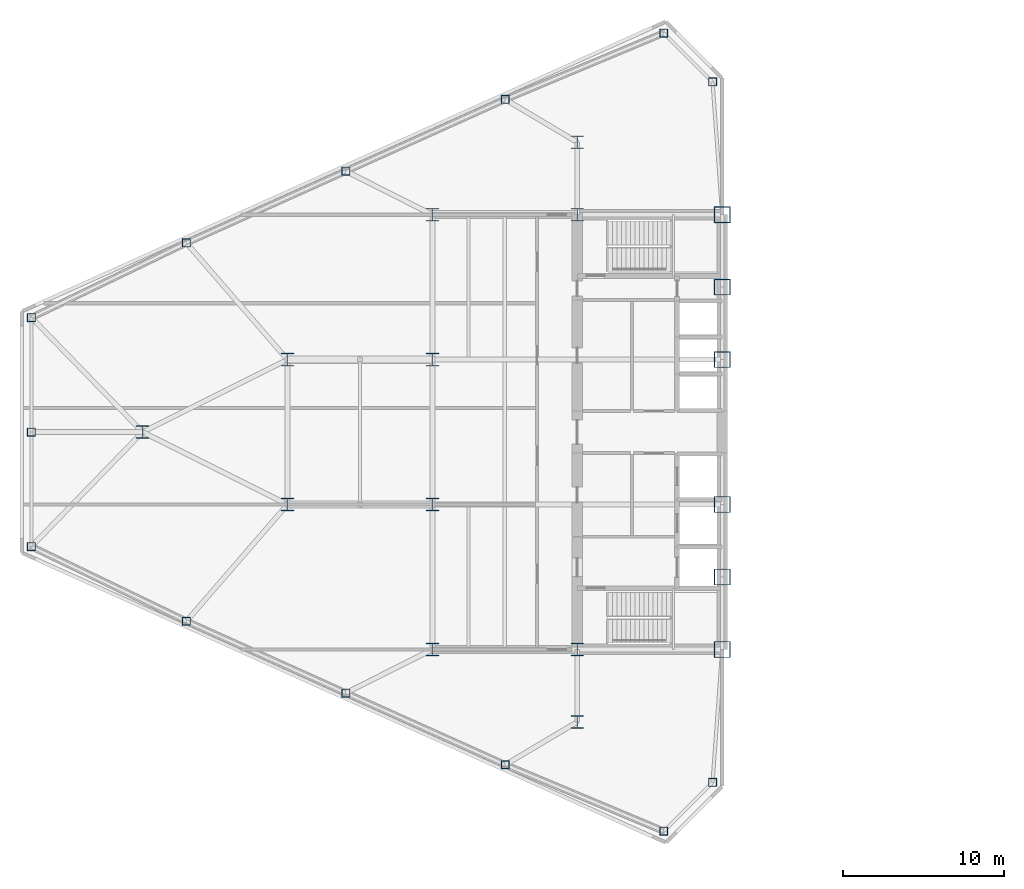
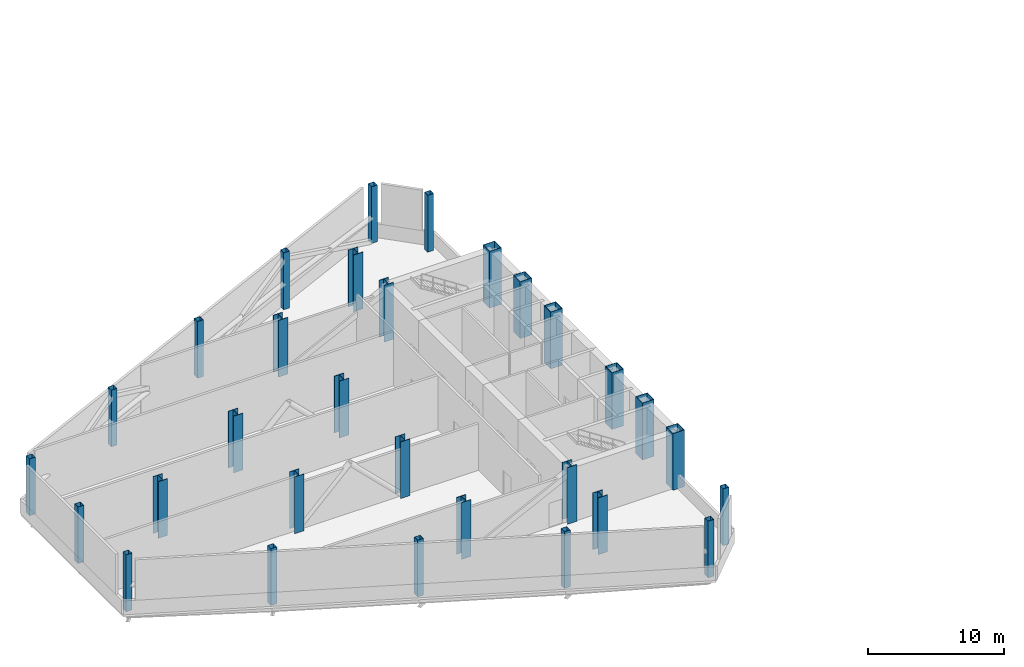
# One storey, part 1 of 11: 30 columns.
"""IFC4 building model written with IfcOpenShell, lengths in metres."""

from ifc_helpers import new_model, si_unit, direction, frame, origin, origin_2d, place, context, subcontext, project, spatial, hollow_rectangle, i_section, extrude, source, transform, mapped, material, material_profile, profile_set, type_object, type_shapes, element, save


model = new_model("IFC4")

# Units and contexts
model_context = context("Model", 3, precision=1e-05, world=origin(), true_north=direction((0.0, 1.0)))
body_context = subcontext(model_context, "Body", "Model", "MODEL_VIEW")
ifc_project = project(units=[si_unit("LENGTHUNIT", "METRE"), si_unit("AREAUNIT", "SQUARE_METRE"), si_unit("VOLUMEUNIT", "CUBIC_METRE"), si_unit("PLANEANGLEUNIT", "RADIAN"), si_unit("MASSUNIT", "GRAM", prefix="KILO")], contexts=[model_context])

# Site, building, storey
site_placement = place(None, origin())
site = spatial("IfcSite", under=ifc_project, at=site_placement, CompositionType="ELEMENT")
building_placement = place(site_placement, origin())
building = spatial("IfcBuilding", under=site, at=building_placement, Name="Seokmaru Belvedere", CompositionType="ELEMENT")
storey_placement = place(building_placement, frame((0.0, 0.0, 87.300048828125)))
storey = spatial("IfcBuildingStorey", under=building, at=storey_placement, Name="L23", CompositionType="ELEMENT", Elevation=87.300048828125)

# Columns
ifc_material_1 = material(Name="Steel HSA650 (650 MPa)", Category="steel")
ifc_material_profile_1 = material_profile(ifc_material_1, hollow_rectangle(XDim=1.0, YDim=1.0, WallThickness=0.0419921875, at=origin_2d()), Name="BOX-1000x1000x42")
ifc_profile_set_1 = profile_set([ifc_material_profile_1], Name="Steel HSA650 (650 MPa)")
column_type_1 = type_object("IfcColumnType", Name="Portal Spine Column BOX-1000", PredefinedType="COLUMN", material=ifc_profile_set_1)
shared_shape_1 = source(origin(), body_context, "Body", "SweptSolid", [
    extrude(hollow_rectangle(XDim=1.0, YDim=1.0, WallThickness=0.0419921875, at=origin_2d()), origin(), (0.0, 0.0, 1.0), 5.099853515625),
])
type_shapes(column_type_1, [shared_shape_1])
for number, where, z_axis, x_axis, name in (
    (1, (-27.5, -13.5, 0.0), (0.0, 0.0, 1.0), (1.0, 0.0, 0.0), "L23 Column WS1"),
    (2, (-27.5, -9.0, 0.0), (0.0, 0.0, 1.0), (1.0, 0.0, 0.0), "L23 Column WS2"),
    (3, (-27.5, -4.5, 0.0), (0.0, 0.0, 1.0), (1.0, 0.0, 0.0), "L23 Column WS3"),
    (4, (-27.5, 4.5, 0.0), (0.0, 0.0, 1.0), (1.0, 0.0, 0.0), "L23 Column WS4"),
    (5, (-27.5, 9.0, 0.0), (0.0, 0.0, 1.0), (1.0, 0.0, 0.0), "L23 Column WS5"),
    (6, (-27.5, 13.5, 0.0), (0.0, 0.0, 1.0), (1.0, 0.0, 0.0), "L23 Column WS6"),
):
    element("IfcColumn", number, at=place(storey_placement, frame(where, z_axis=z_axis, x_axis=x_axis)), inside=storey, type_object=column_type_1, Name=name, PredefinedType="COLUMN", context=body_context, shape_type="MappedRepresentation", body=[
        mapped(shared_shape_1, transform((0.0, 0.0, 0.0), scale=1.0)),
    ])
ifc_material_2 = material(Name="Steel SM355 (355 MPa)", Category="steel")
ifc_material_profile_2 = material_profile(ifc_material_2, i_section(OverallWidth=0.800048828125, OverallDepth=0.800048828125, WebThickness=0.031982421875, FlangeThickness=0.050048828125, at=origin_2d()), Name="H-800x800x32x50")
ifc_profile_set_2 = profile_set([ifc_material_profile_2], Name="Steel SM355 (355 MPa)")
column_type_2 = type_object("IfcColumnType", Name="Lower-Mid Interior Column H-800", PredefinedType="COLUMN", material=ifc_profile_set_2)
shared_shape_2 = source(origin(), body_context, "Body", "SweptSolid", [
    extrude(i_section(OverallWidth=0.800048828125, OverallDepth=0.800048828125, WebThickness=0.031982421875, FlangeThickness=0.050048828125, at=origin_2d()), origin(), (0.0, 0.0, 1.0), 5.099853515625),
])
type_shapes(column_type_2, [shared_shape_2])
for number, where, z_axis, x_axis, name in (
    (7, (-36.5, -18.0, 0.0), (0.0, 0.0, 1.0), (1.0, 0.0, 0.0), "L23 Column WC1"),
    (8, (-36.5, -13.5, 0.0), (0.0, 0.0, 1.0), (1.0, 0.0, 0.0), "L23 Column WC2"),
    (9, (-36.5, 13.5, 0.0), (0.0, 0.0, 1.0), (1.0, 0.0, 0.0), "L23 Column WC3"),
    (10, (-36.5, 18.0, 0.0), (0.0, 0.0, 1.0), (1.0, 0.0, 0.0), "L23 Column WC4"),
    (11, (-45.5, -13.5, 0.0), (0.0, 0.0, 1.0), (1.0, 0.0, 0.0), "L23 Column WG5_1"),
    (12, (-45.5, -4.5, 0.0), (0.0, 0.0, 1.0), (1.0, 0.0, 0.0), "L23 Column WG5_2"),
    (13, (-45.5, 4.5, 0.0), (0.0, 0.0, 1.0), (1.0, 0.0, 0.0), "L23 Column WG5_3"),
    (14, (-45.5, 13.5, 0.0), (0.0, 0.0, 1.0), (1.0, 0.0, 0.0), "L23 Column WG5_4"),
    (15, (-54.5, -4.5, 0.0), (0.0, 0.0, 1.0), (1.0, 0.0, 0.0), "L23 Column WG4P_1"),
    (16, (-54.5, 4.5, 0.0), (0.0, 0.0, 1.0), (1.0, 0.0, 0.0), "L23 Column WG4P_2"),
    (17, (-63.5, 0.0, 0.0), (0.0, 0.0, 1.0), (1.0, 0.0, 0.0), "L23 Column WG3P_1"),
):
    element("IfcColumn", number, at=place(storey_placement, frame(where, z_axis=z_axis, x_axis=x_axis)), inside=storey, type_object=column_type_2, Name=name, PredefinedType="COLUMN", context=body_context, shape_type="MappedRepresentation", body=[
        mapped(shared_shape_2, transform((0.0, 0.0, 0.0), scale=1.0)),
    ])
ifc_material_profile_3 = material_profile(ifc_material_2, hollow_rectangle(XDim=0.5, YDim=0.5, WallThickness=0.02001953125, at=origin_2d()), Name="HSS-500x500x20")
ifc_profile_set_3 = profile_set([ifc_material_profile_3], Name="Steel SM355 (355 MPa)")
column_type_3 = type_object("IfcColumnType", Name="Perimeter Facet Column HSS-500", PredefinedType="COLUMN", material=ifc_profile_set_3)
shared_shape_3 = source(origin(), body_context, "Body", "SweptSolid", [
    extrude(hollow_rectangle(XDim=0.5, YDim=0.5, WallThickness=0.02001953125, at=origin_2d()), origin(), (0.0, 0.0, 1.0), 5.099853515625),
])
type_shapes(column_type_3, [shared_shape_3])
for number, where, z_axis, x_axis, name in (
    (18, (-28.10009765625, -21.75146484375, 0.0), (0.0, 0.0, 1.0), (1.0, 0.0, 0.0), "L23 Column WF1"),
    (19, (-28.10009765625, 21.75146484375, 0.0), (0.0, 0.0, 1.0), (1.0, 0.0, 0.0), "L23 Column WF2"),
    (20, (-31.13134765625, 24.782958984375, 0.0), (0.0, 0.0, 1.0), (1.0, 0.0, 0.0), "L23 Column WF3"),
    (21, (-70.39990234375, 7.112060546875, 0.0), (0.0, 0.0, 1.0), (1.0, 0.0, 0.0), "L23 Column WF4"),
    (22, (-70.39990234375, -7.112060546875, 0.0), (0.0, 0.0, 1.0), (1.0, 0.0, 0.0), "L23 Column WF5"),
    (23, (-31.13134765625, -24.782958984375, 0.0), (0.0, 0.0, 1.0), (1.0, 0.0, 0.0), "L23 Column WF6"),
    (24, (-40.97265625, -20.661376953125, 0.0), (0.0, 0.0, 1.0), (1.0, 0.0, 0.0), "L23 Column WFLK_S1"),
    (25, (-50.875, -16.205322265625, 0.0), (0.0, 0.0, 1.0), (1.0, 0.0, 0.0), "L23 Column WFLK_S2"),
    (26, (-60.777587890625, -11.749267578125, 0.0), (0.0, 0.0, 1.0), (1.0, 0.0, 0.0), "L23 Column WFLK_S3"),
    (27, (-40.97265625, 20.661376953125, 0.0), (0.0, 0.0, 1.0), (1.0, 0.0, 0.0), "L23 Column WFLK_N1"),
    (28, (-50.875, 16.205322265625, 0.0), (0.0, 0.0, 1.0), (1.0, 0.0, 0.0), "L23 Column WFLK_N2"),
    (29, (-60.777587890625, 11.749267578125, 0.0), (0.0, 0.0, 1.0), (1.0, 0.0, 0.0), "L23 Column WFLK_N3"),
    (30, (-70.39990234375, 0.0, 0.0), (0.0, 0.0, 1.0), (1.0, 0.0, 0.0), "L23 Column WF_APXM"),
):
    element("IfcColumn", number, at=place(storey_placement, frame(where, z_axis=z_axis, x_axis=x_axis)), inside=storey, type_object=column_type_3, Name=name, PredefinedType="COLUMN", context=body_context, shape_type="MappedRepresentation", body=[
        mapped(shared_shape_3, transform((0.0, 0.0, 0.0), scale=1.0)),
    ])

save(model, "model.ifc")
